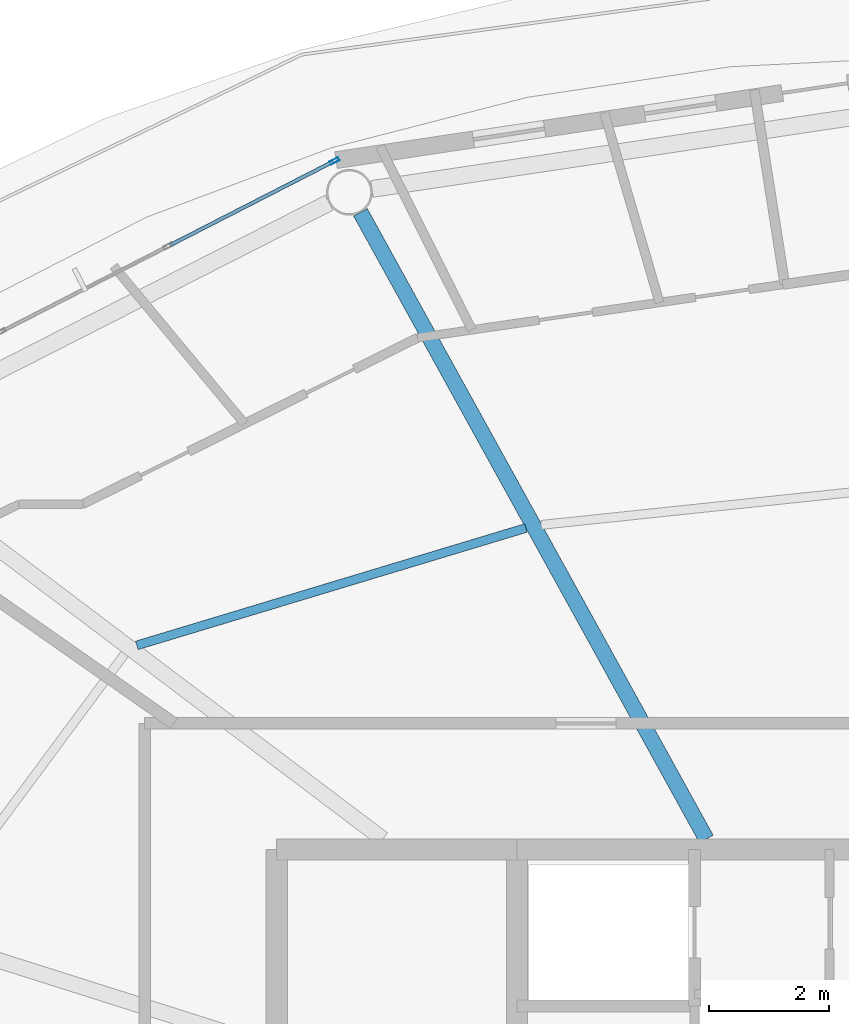
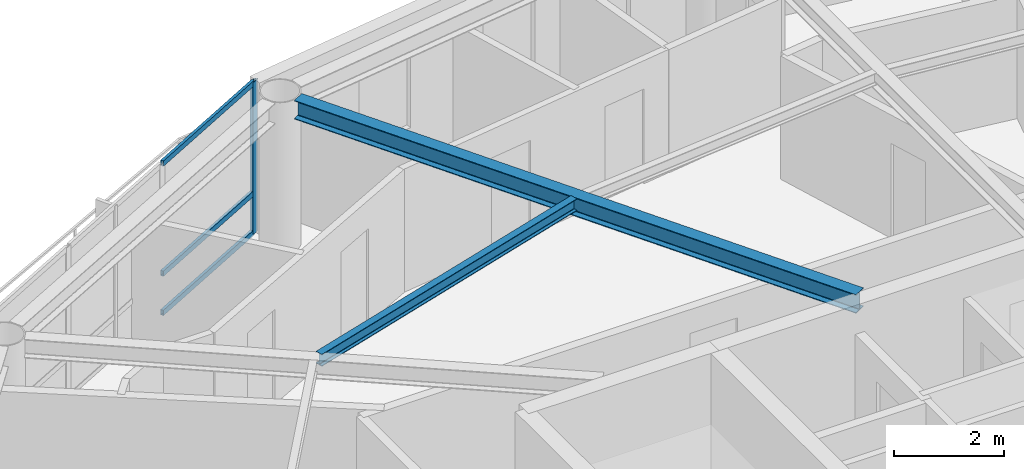
# One storey, part 9 of 23: 4 members, 2 beams, 1 element without a shape of its own.
"""IFC4 building model written with IfcOpenShell, lengths in metres."""

from ifc_helpers import new_model, si_unit, direction, frame, origin, origin_2d, place, context, subcontext, project, spatial, hollow_rectangle, i_section, extrude, material, layer, layer_set, material_profile, profile_set, type_object, element, aggregate, save


model = new_model("IFC4")

# Units and contexts
model_context = context("Model", 3, precision=1e-05, world=origin(), true_north=direction((0.0, 1.0)))
body_context = subcontext(model_context, "Body", "Model", "MODEL_VIEW")
ifc_project = project(units=[si_unit("LENGTHUNIT", "METRE"), si_unit("AREAUNIT", "SQUARE_METRE"), si_unit("VOLUMEUNIT", "CUBIC_METRE"), si_unit("PLANEANGLEUNIT", "RADIAN"), si_unit("MASSUNIT", "GRAM", prefix="KILO")], contexts=[model_context])

# Site, building, storey
site_placement = place(None, origin())
site = spatial("IfcSite", under=ifc_project, at=site_placement, CompositionType="ELEMENT")
building_placement = place(site_placement, origin())
building = spatial("IfcBuilding", under=site, at=building_placement, Name="Sarneth Arch Tower", CompositionType="ELEMENT")
storey_placement = place(building_placement, frame((0.0, 0.0, 280.199951171875)))
storey = spatial("IfcBuildingStorey", under=building, at=storey_placement, Name="L72", CompositionType="ELEMENT", Elevation=280.199951171875)

# Beams
ifc_material_1 = material(Name="Steel S355", Category="steel")
ifc_material_profile_1 = material_profile(ifc_material_1, i_section(OverallWidth=0.14794921875, OverallDepth=0.26611328125, WebThickness=0.007568359375, FlangeThickness=0.012939453125, FilletRadius=0.012939453125, at=origin_2d()), Name="W250x44.8")
ifc_profile_set_1 = profile_set([ifc_material_profile_1], Name="Steel S355")
beam_type_1 = type_object("IfcBeamType", Name="BM-JOIST-250", PredefinedType="JOIST", material=ifc_profile_set_1)
beam_1_placement = place(storey_placement, frame((41.147216796875, 54.15234375, 3.237060546875), z_axis=(-0.957373106971, -0.288854174367, 0.0), x_axis=(0.288854174367, -0.957373106971, 0.0)))
element("IfcBeam", 1, at=beam_1_placement, inside=storey, type_object=beam_type_1, Name="L72 Secondary floor joist 06", PredefinedType="JOIST", context=body_context, shape_type="SweptSolid", body=[
    extrude(i_section(OverallWidth=0.14794921875, OverallDepth=0.26611328125, WebThickness=0.007568359375, FlangeThickness=0.012939453125, FilletRadius=0.012939453125, at=origin_2d()), origin(), (0.0, 0.0, 1.0), 6.76416015625),
])
ifc_material_2 = material(Name="Steel S355", Category="steel")
ifc_material_profile_2 = material_profile(ifc_material_2, i_section(OverallWidth=0.260009765625, OverallDepth=0.4150390625, WebThickness=0.010009765625, FlangeThickness=0.016845703125, FilletRadius=0.01611328125, at=origin_2d()), Name="W410x100")
ifc_profile_set_2 = profile_set([ifc_material_profile_2], Name="Steel S355")
beam_type_2 = type_object("IfcBeamType", Name="BM-RAD-410A", PredefinedType="BEAM", material=ifc_profile_set_2)
beam_2_placement = place(storey_placement, frame((44.150146484375, 48.97509765625, 3.16259765625), z_axis=(-0.483231193732, 0.875492783182, 0.0), x_axis=(-0.875492783182, -0.483231193732, 0.0)))
element("IfcBeam", 2, at=beam_2_placement, inside=storey, type_object=beam_type_2, Name="L72 Radial floor girder 06", PredefinedType="BEAM", context=body_context, shape_type="SweptSolid", body=[
    extrude(i_section(OverallWidth=0.260009765625, OverallDepth=0.4150390625, WebThickness=0.010009765625, FlangeThickness=0.016845703125, FilletRadius=0.01611328125, at=origin_2d()), origin(), (0.0, 0.0, 1.0), 11.913330078125),
])

# Curtain wall, members
ifc_material_3 = material(Name="Anodised aluminium Type AA25 and solar-control low-e laminated IGU", Category="aluminium")
ifc_layer = layer(ifc_material_3, 0.179931640625)
ifc_layer_set = layer_set([ifc_layer], Name="Anodised aluminium Type AA25 and solar-control low-e laminated IGU")
curtain_wall_type = type_object("IfcCurtainWallType", Name="CW-RES-HIGH", PredefinedType="NOTDEFINED", material=ifc_layer_set)
curtain_wall_placement = place(storey_placement, origin())
curtain_wall = element("IfcCurtainWall", 3, at=curtain_wall_placement, inside=storey, type_object=curtain_wall_type, Name="L72 Unitised curtain wall facet 06", PredefinedType="NOTDEFINED")
ifc_material_4 = material(Name="Anodised Aluminium 6063-T6", Category="aluminium")
ifc_material_profile_3 = material_profile(ifc_material_4, hollow_rectangle(XDim=0.06005859375, YDim=0.159912109375, WallThickness=0.00390625, at=origin_2d()), Name="AL-MULL-160x60x4")
ifc_profile_set_3 = profile_set([ifc_material_profile_3], Name="Anodised Aluminium 6063-T6")
member_type_1 = type_object("IfcMemberType", Name="CW-MULLION", PredefinedType="MULLION", material=ifc_profile_set_3)
member_1_placement = place(storey_placement, frame((37.960693359375, 60.2607421875, 0.0), z_axis=(0.0, 0.0, 1.0), x_axis=(0.455941901753, -0.890009540525, 0.0)))
member_1 = element("IfcMember", 4, at=member_1_placement, type_object=member_type_1, Name="CW-SYS-6 mullion 1", PredefinedType="MULLION", context=body_context, shape_type="SweptSolid", body=[
    extrude(hollow_rectangle(XDim=0.06005859375, YDim=0.159912109375, WallThickness=0.00390625, at=origin_2d()), origin(), (0.0, 0.0, 1.0), 3.3701171875),
])
ifc_material_5 = material(Name="Anodised Aluminium 6063-T6", Category="aluminium")
ifc_material_profile_4 = material_profile(ifc_material_5, hollow_rectangle(XDim=0.06005859375, YDim=0.1201171875, WallThickness=0.00390625, at=origin_2d()), Name="AL-TRAN-120x60x4")
ifc_profile_set_4 = profile_set([ifc_material_profile_4], Name="Anodised Aluminium 6063-T6")
member_type_2 = type_object("IfcMemberType", Name="CW-TRANSOM", PredefinedType="USERDEFINED", material=ifc_profile_set_4)
member_2_placement = place(storey_placement, frame((37.933837890625, 60.2470703125, 0.030029296875), z_axis=(-0.889973523166, -0.456012201662, 0.0), x_axis=(0.456012201662, -0.889973523166, 0.0)))
member_2 = element("IfcMember", 5, at=member_2_placement, type_object=member_type_2, Name="CW-SYS-6 transom 1.1", ObjectType="TRANSOM", PredefinedType="USERDEFINED", context=body_context, shape_type="SweptSolid", body=[
    extrude(hollow_rectangle(XDim=0.06005859375, YDim=0.1201171875, WallThickness=0.00390625, at=origin_2d()), origin(), (0.0, 0.0, 1.0), 3.044677734375),
])
member_3_placement = place(storey_placement, frame((37.933837890625, 60.2470703125, 0.900146484375), z_axis=(-0.889973523166, -0.456012201662, 0.0), x_axis=(0.456012201662, -0.889973523166, 0.0)))
member_3 = element("IfcMember", 6, at=member_3_placement, type_object=member_type_2, Name="CW-SYS-6 transom 1.2", ObjectType="TRANSOM", PredefinedType="USERDEFINED", context=body_context, shape_type="SweptSolid", body=[
    extrude(hollow_rectangle(XDim=0.06005859375, YDim=0.1201171875, WallThickness=0.00390625, at=origin_2d()), origin(), (0.0, 0.0, 1.0), 3.044677734375),
])
member_4_placement = place(storey_placement, frame((37.933837890625, 60.2470703125, 3.340087890625), z_axis=(-0.889973523166, -0.456012201662, 0.0), x_axis=(0.456012201662, -0.889973523166, 0.0)))
member_4 = element("IfcMember", 7, at=member_4_placement, type_object=member_type_2, Name="CW-SYS-6 transom 1.3", ObjectType="TRANSOM", PredefinedType="USERDEFINED", context=body_context, shape_type="SweptSolid", body=[
    extrude(hollow_rectangle(XDim=0.06005859375, YDim=0.1201171875, WallThickness=0.00390625, at=origin_2d()), origin(), (0.0, 0.0, 1.0), 3.044677734375),
])
aggregate(curtain_wall, [member_1, member_2, member_3, member_4])

save(model, "model.ifc")
